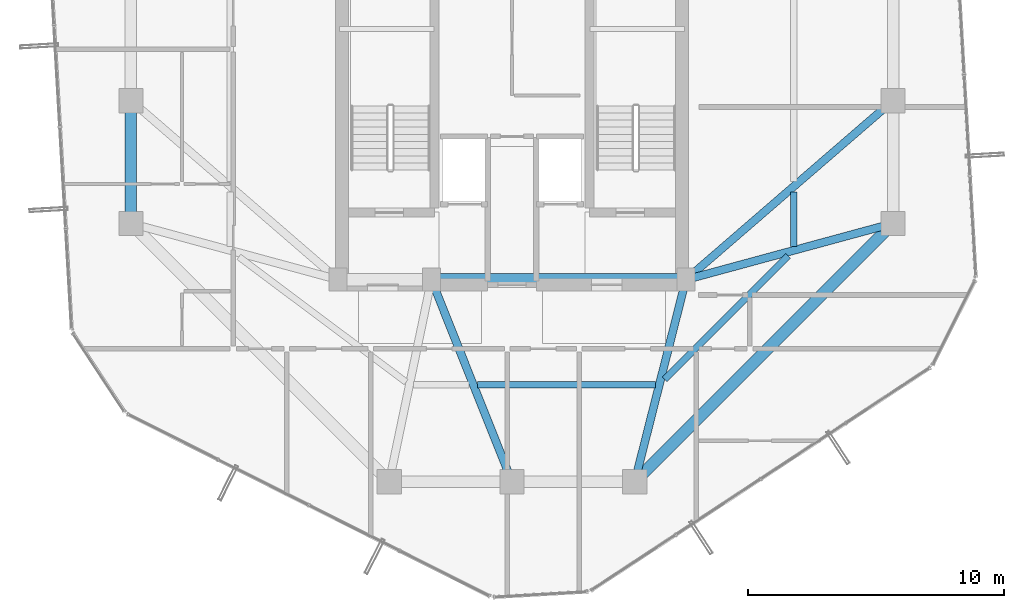
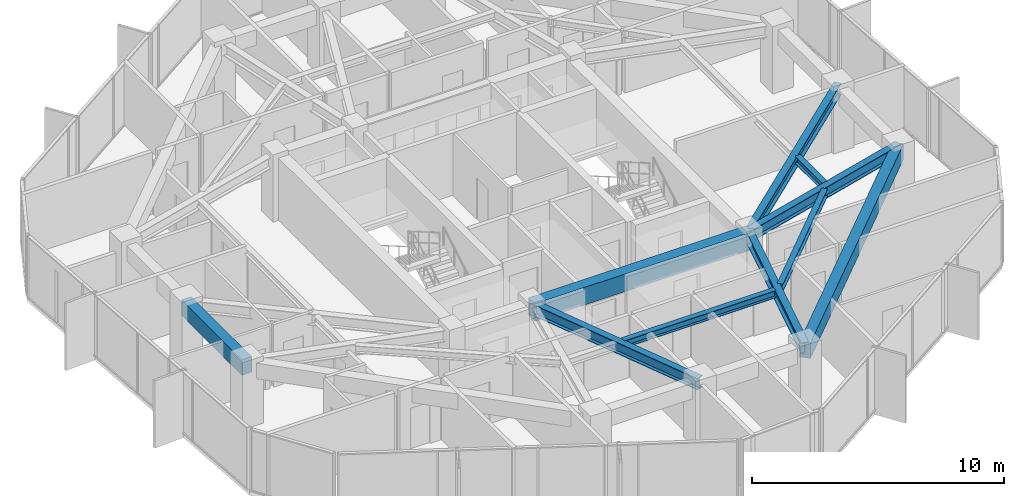
# One storey, part 11 of 33: 10 beams.
"""IFC4 building model written with IfcOpenShell, lengths in metres."""

from ifc_helpers import new_model, si_unit, direction, frame, origin, origin_2d, place, context, subcontext, project, spatial, rectangle, i_section, extrude, material, material_profile, profile_set, type_object, element, save


model = new_model("IFC4")

# Units and contexts
model_context = context("Model", 3, precision=1e-05, world=origin(), true_north=direction((0.0, 1.0)))
body_context = subcontext(model_context, "Body", "Model", "MODEL_VIEW")
ifc_project = project(units=[si_unit("LENGTHUNIT", "METRE"), si_unit("AREAUNIT", "SQUARE_METRE"), si_unit("VOLUMEUNIT", "CUBIC_METRE"), si_unit("PLANEANGLEUNIT", "RADIAN"), si_unit("MASSUNIT", "GRAM", prefix="KILO")], contexts=[model_context])

# Site, building, storey
site_placement = place(None, origin())
site = spatial("IfcSite", under=ifc_project, at=site_placement, CompositionType="ELEMENT")
building_placement = place(site_placement, origin())
building = spatial("IfcBuilding", under=site, at=building_placement, Name="Veraguas Prism Commons", CompositionType="ELEMENT")
storey_placement = place(building_placement, frame((0.0, 0.0, 195.10009765625)))
storey = spatial("IfcBuildingStorey", under=building, at=storey_placement, Name="L55", CompositionType="ELEMENT", Elevation=195.10009765625)

# Beams
ifc_material_1 = material(Name="Concrete C50/60", Category="concrete")
ifc_material_profile_1 = material_profile(ifc_material_1, rectangle(XDim=0.5, YDim=0.85009765625, at=origin_2d()), Name="RC500X850")
ifc_profile_set_1 = profile_set([ifc_material_profile_1], Name="Concrete C50/60")
beam_type_1 = type_object("IfcBeamType", Name="Core Coupling Beam RC 500x850", PredefinedType="BEAM", material=ifc_profile_set_1)
beam_1_placement = place(storey_placement, frame((20.85009765625, 17.0, 2.58984375), z_axis=(1.0, 0.0, 0.0), x_axis=(0.0, 1.0, 0.0)))
element("IfcBeam", 1, at=beam_1_placement, inside=storey, type_object=beam_type_1, Name="Core Coupling Beam L55-CRS2", PredefinedType="BEAM", context=body_context, shape_type="SweptSolid", body=[
    extrude(rectangle(XDim=0.5, YDim=0.85009765625, at=origin_2d()), origin(), (0.0, 0.0, 1.0), 9.949951171875),
])
ifc_material_profile_2 = material_profile(ifc_material_1, rectangle(XDim=0.449951171875, YDim=0.75, at=origin_2d()), Name="RC450X750")
ifc_profile_set_2 = profile_set([ifc_material_profile_2], Name="Concrete C50/60")
beam_type_2 = type_object("IfcBeamType", Name="Perimeter Spandrel Upper RC 450x750", PredefinedType="SPANDREL", material=ifc_profile_set_2)
beam_2_placement = place(storey_placement, frame((9.10009765625, 24.0, 2.639892578125), z_axis=(0.0, -1.0, 0.0), x_axis=(1.0, 0.0, 0.0)))
element("IfcBeam", 2, at=beam_2_placement, inside=storey, type_object=beam_type_2, Name="Perimeter Spandrel Beam L55-SP08", PredefinedType="SPANDREL", context=body_context, shape_type="SweptSolid", body=[
    extrude(rectangle(XDim=0.449951171875, YDim=0.75, at=origin_2d()), origin(), (0.0, 0.0, 1.0), 4.800048828125),
])
beam_3_placement = place(storey_placement, frame((28.800048828125, 9.10009765625, 2.639892578125), z_axis=(0.707106781187, 0.707106781187, 0.0), x_axis=(-0.707106781187, 0.707106781187, 0.0)))
element("IfcBeam", 3, at=beam_3_placement, inside=storey, type_object=beam_type_2, Name="Perimeter Spandrel Beam L55-SP12", PredefinedType="SPANDREL", context=body_context, shape_type="SweptSolid", body=[
    extrude(rectangle(XDim=0.449951171875, YDim=0.75, at=origin_2d()), origin(), (0.0, 0.0, 1.0), 14.283447265625),
])
ifc_material_2 = material(Name="Steel ASTM A992 Grade 50", Category="steel")
ifc_material_profile_3 = material_profile(ifc_material_2, i_section(OverallWidth=0.25390625, OverallDepth=0.35302734375, WebThickness=0.009521484375, FlangeThickness=0.016357421875, at=origin_2d()), Name="W360X91")
ifc_profile_set_3 = profile_set([ifc_material_profile_3], Name="Steel ASTM A992 Grade 50")
beam_type_3 = type_object("IfcBeamType", Name="Upper Floor Joist W360x91", PredefinedType="JOIST", material=ifc_profile_set_3)
beam_4_placement = place(storey_placement, frame((35.011962890625, 18.302978515625, 2.83837890625), z_axis=(0.0, 1.0, 0.0), x_axis=(-1.0, 0.0, 0.0)))
element("IfcBeam", 4, at=beam_4_placement, inside=storey, type_object=beam_type_3, Name="Composite Floor Joist L55-JS01", PredefinedType="JOIST", context=body_context, shape_type="SweptSolid", body=[
    extrude(i_section(OverallWidth=0.25390625, OverallDepth=0.35302734375, WebThickness=0.009521484375, FlangeThickness=0.016357421875, at=origin_2d()), origin(), (0.0, 0.0, 1.0), 2.134033203125),
])
beam_5_placement = place(storey_placement, frame((22.6533203125, 12.89208984375, 2.83837890625), z_axis=(1.0, 0.0, 0.0), x_axis=(0.0, 1.0, 0.0)))
element("IfcBeam", 5, at=beam_5_placement, inside=storey, type_object=beam_type_3, Name="Composite Floor Joist L55-JS11", PredefinedType="JOIST", context=body_context, shape_type="SweptSolid", body=[
    extrude(i_section(OverallWidth=0.25390625, OverallDepth=0.35302734375, WebThickness=0.009521484375, FlangeThickness=0.016357421875, at=origin_2d()), origin(), (0.0, 0.0, 1.0), 6.948486328125),
])
beam_6_placement = place(storey_placement, frame((29.971923828125, 13.10400390625, 2.83837890625), z_axis=(0.707124682851, 0.707088879069, 0.0), x_axis=(-0.707088879069, 0.707124682851, 0.0)))
element("IfcBeam", 6, at=beam_6_placement, inside=storey, type_object=beam_type_3, Name="Composite Floor Joist L55-JS12", PredefinedType="JOIST", context=body_context, shape_type="SweptSolid", body=[
    extrude(i_section(OverallWidth=0.25390625, OverallDepth=0.35302734375, WebThickness=0.009521484375, FlangeThickness=0.016357421875, at=origin_2d()), origin(), (0.0, 0.0, 1.0), 6.81884765625),
])
ifc_material_profile_4 = material_profile(ifc_material_2, i_section(OverallWidth=0.31103515625, OverallDepth=0.5458984375, WebThickness=0.0146484375, FlangeThickness=0.023681640625, at=origin_2d()), Name="W530X165")
ifc_profile_set_4 = profile_set([ifc_material_profile_4], Name="Steel ASTM A992 Grade 50")
beam_type_4 = type_object("IfcBeamType", Name="Zone 3 Radial Girder W530x165", PredefinedType="BEAM", material=ifc_profile_set_4)
beam_7_placement = place(storey_placement, frame((38.89990234375, 19.199951171875, 2.741943359375), z_axis=(-0.965038506703, -0.262108146725, 0.0), x_axis=(0.262108146725, -0.965038506703, 0.0)))
element("IfcBeam", 7, at=beam_7_placement, inside=storey, type_object=beam_type_4, Name="Radial Floor Girder L55-RD01", PredefinedType="BEAM", context=body_context, shape_type="SweptSolid", body=[
    extrude(i_section(OverallWidth=0.31103515625, OverallDepth=0.5458984375, WebThickness=0.0146484375, FlangeThickness=0.023681640625, at=origin_2d()), origin(), (0.0, 0.0, 1.0), 8.393310546875),
])
beam_8_placement = place(storey_placement, frame((38.89990234375, 24.0, 2.741943359375), z_axis=(-0.756607086554, -0.653869800936, 0.0), x_axis=(0.653869800936, -0.756607086554, 0.0)))
element("IfcBeam", 8, at=beam_8_placement, inside=storey, type_object=beam_type_4, Name="Radial Floor Girder L55-RD02", PredefinedType="BEAM", context=body_context, shape_type="SweptSolid", body=[
    extrude(i_section(OverallWidth=0.31103515625, OverallDepth=0.5458984375, WebThickness=0.0146484375, FlangeThickness=0.023681640625, at=origin_2d()), origin(), (0.0, 0.0, 1.0), 10.70556640625),
])
beam_9_placement = place(storey_placement, frame((24.0, 9.10009765625, 2.741943359375), z_axis=(-0.370370877803, 0.928883960931, 0.0), x_axis=(-0.928883960931, -0.370370877803, 0.0)))
element("IfcBeam", 9, at=beam_9_placement, inside=storey, type_object=beam_type_4, Name="Radial Floor Girder L55-RD11", PredefinedType="BEAM", context=body_context, shape_type="SweptSolid", body=[
    extrude(i_section(OverallWidth=0.31103515625, OverallDepth=0.5458984375, WebThickness=0.0146484375, FlangeThickness=0.023681640625, at=origin_2d()), origin(), (0.0, 0.0, 1.0), 8.504638671875),
])
beam_10_placement = place(storey_placement, frame((28.800048828125, 9.10009765625, 2.741943359375), z_axis=(0.245424718066, 0.969415652732, 0.0), x_axis=(-0.969415652732, 0.245424718066, 0.0)))
element("IfcBeam", 10, at=beam_10_placement, inside=storey, type_object=beam_type_4, Name="Radial Floor Girder L55-RD12", PredefinedType="BEAM", context=body_context, shape_type="SweptSolid", body=[
    extrude(i_section(OverallWidth=0.31103515625, OverallDepth=0.5458984375, WebThickness=0.0146484375, FlangeThickness=0.023681640625, at=origin_2d()), origin(), (0.0, 0.0, 1.0), 8.149169921875),
])

save(model, "model.ifc")
